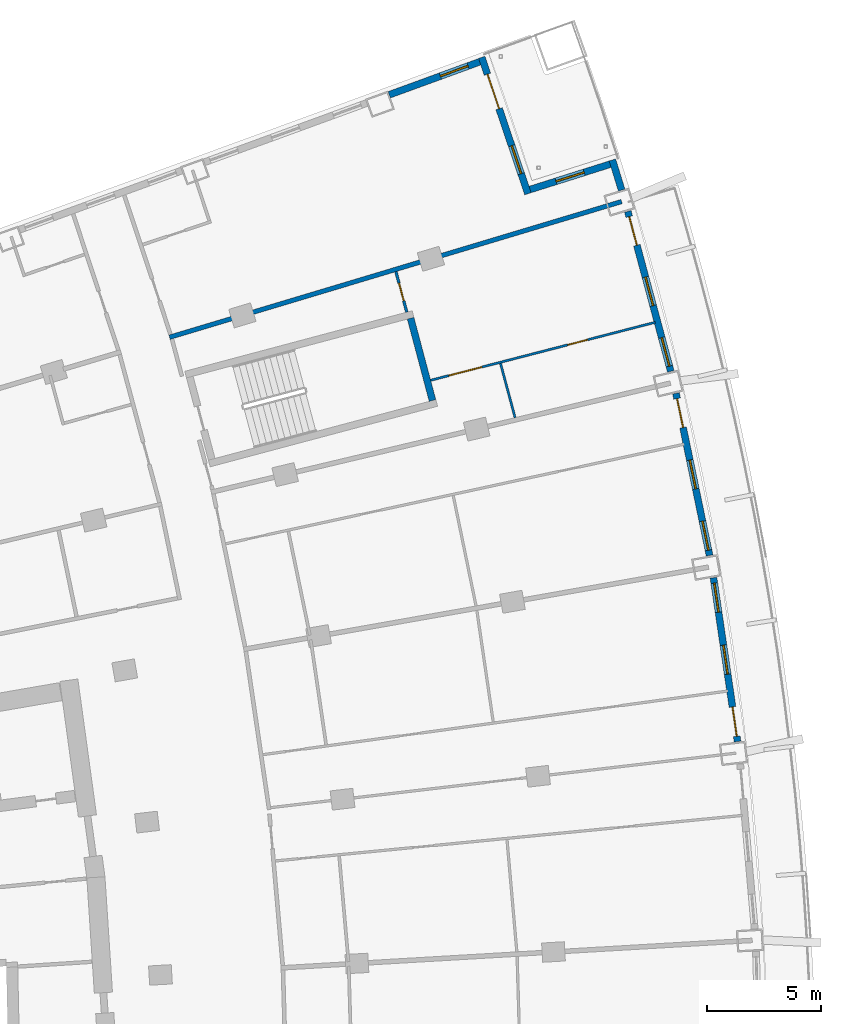
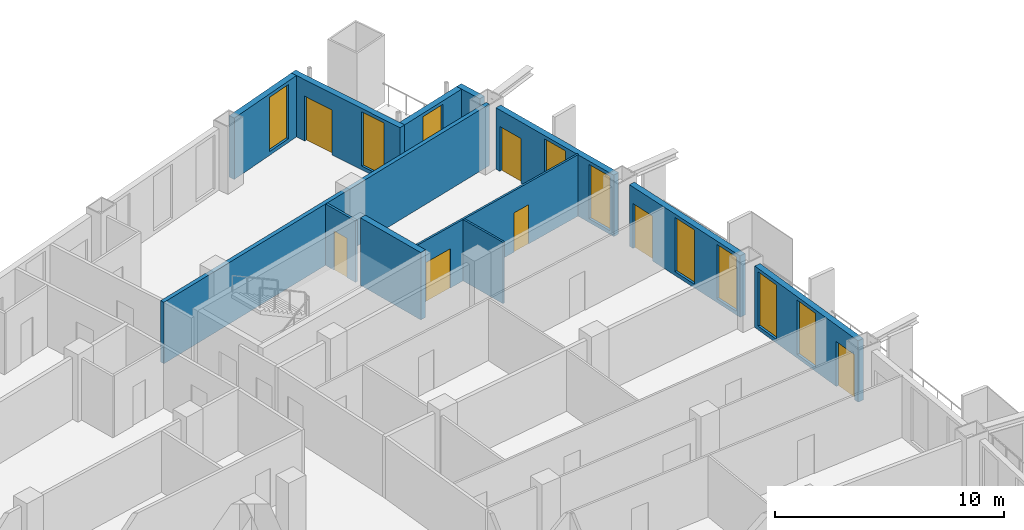
# One storey, part 21 of 25: 12 walls, 9 windows, 7 doors, 16 openings.
"""IFC4 building model written with IfcOpenShell, lengths in metres."""

from ifc_helpers import new_model, si_unit, direction, frame, frame_2d, origin, place, context, subcontext, project, spatial, rectangle, extrude, material, layer, layer_set, type_object, element, fill, save


model = new_model("IFC4")

# Units and contexts
model_context = context("Model", 3, precision=1e-05, world=origin(), true_north=direction((0.0, 1.0)))
body_context = subcontext(model_context, "Body", "Model", "MODEL_VIEW")
ifc_project = project(units=[si_unit("LENGTHUNIT", "METRE"), si_unit("AREAUNIT", "SQUARE_METRE"), si_unit("VOLUMEUNIT", "CUBIC_METRE"), si_unit("PLANEANGLEUNIT", "RADIAN"), si_unit("MASSUNIT", "GRAM", prefix="KILO")], contexts=[model_context])

# Site, building, storey
site_placement = place(None, origin())
site = spatial("IfcSite", under=ifc_project, at=site_placement, CompositionType="ELEMENT")
building_placement = place(site_placement, origin())
building = spatial("IfcBuilding", under=site, at=building_placement, Name="Alderwake Tower", CompositionType="ELEMENT")
storey_placement = place(building_placement, frame((0.0, 0.0, 86.0)))
storey = spatial("IfcBuildingStorey", under=building, at=storey_placement, Name="L20", CompositionType="ELEMENT", Elevation=86.0)

# Wall
ifc_material_1 = material(Name="Concrete C70/85", Category="concrete")
ifc_layer_1 = layer(ifc_material_1, 0.300048828125)
ifc_layer_set_1 = layer_set([ifc_layer_1], Name="Core wall stair enclosure 300 C70-85")
wall_type_1 = type_object("IfcWallType", Name="Core wall stair enclosure 300 C70-85", PredefinedType="SHEAR", material=ifc_layer_set_1)
wall_1_placement = place(storey_placement, frame((47.581298828125, 93.041748046875, 0.0), z_axis=(0.0, 0.0, 1.0), x_axis=(-0.257366821694, 0.966313778796, 0.0)))
element("IfcWall", 1, at=wall_1_placement, inside=storey, type_object=wall_type_1, Name="Core wall CW.081", PredefinedType="SHEAR", context=body_context, shape_type="SweptSolid", body=[
    extrude(rectangle(XDim=3.749755859375, YDim=0.300048828125, at=frame_2d((1.875, 0.0))), origin(), (0.0, 0.0, 1.0), 3.60009765625),
])

# Wall, openings, door, windows
ifc_material_2 = material(Name="Precast concrete C50/60 spandrel panel", Category="concrete")
ifc_layer_2 = layer(ifc_material_2, 0.300048828125)
ifc_layer_set_2 = layer_set([ifc_layer_2], Name="External wall EW1 Precast concrete C50/60 spandrel")
wall_type_2 = type_object("IfcWallType", Name="External wall EW1 Precast concrete C50/60 spandrel", PredefinedType="SOLIDWALL", material=ifc_layer_set_2)
wall_2_placement = place(storey_placement, frame((61.01171875, 78.028564453125, 0.0), z_axis=(0.0, 0.0, 1.0), x_axis=(-0.145299158465, 0.989387767536, 0.0)))
wall_2 = element("IfcWall", 2, at=wall_2_placement, inside=storey, type_object=wall_type_2, Name="External wall 19", PredefinedType="SOLIDWALL", context=body_context, shape_type="SweptSolid", body=[
    extrude(rectangle(XDim=7.287353515625, YDim=0.300048828125, at=frame_2d((3.6435546875, 0.0))), origin(), (0.0, 0.0, 1.0), 3.280029296875),
])
opening_1_placement = place(wall_2_placement, frame((0.23681640625, 0.0, 0.0)))
opening_1 = element("IfcOpeningElement", 3, at=opening_1_placement, cuts=wall_2, Name="Opening D09", PredefinedType="OPENING", context=body_context, shape_type="SweptSolid", body=[
    extrude(rectangle(XDim=1.300048828125, YDim=2.39990234375, at=frame_2d((0.64990234375, 1.199951171875))), frame((0.0, 0.159912109375, 0.0), z_axis=(0.0, -1.0, 0.0), x_axis=(1.0, 0.0, 0.0)), (0.0, 0.0, 1.0), 0.320068359375),
])
opening_2_placement = place(wall_2_placement, frame((2.99365234375, 0.0, 0.199951171875)))
opening_2 = element("IfcOpeningElement", 4, at=opening_2_placement, cuts=wall_2, Name="Opening W1", PredefinedType="OPENING", context=body_context, shape_type="SweptSolid", body=[
    extrude(rectangle(XDim=1.300048828125, YDim=2.89990234375, at=frame_2d((0.64990234375, 1.449951171875))), frame((0.0, 0.159912109375, 0.0), z_axis=(0.0, -1.0, 0.0), x_axis=(1.0, 0.0, 0.0)), (0.0, 0.0, 1.0), 0.320068359375),
])
opening_3_placement = place(wall_2_placement, frame((5.75048828125, 0.0, 0.199951171875)))
opening_3 = element("IfcOpeningElement", 5, at=opening_3_placement, cuts=wall_2, Name="Opening W1", PredefinedType="OPENING", context=body_context, shape_type="SweptSolid", body=[
    extrude(rectangle(XDim=1.300048828125, YDim=2.89990234375, at=frame_2d((0.64990234375, 1.449951171875))), frame((0.0, 0.159912109375, 0.0), z_axis=(0.0, -1.0, 0.0), x_axis=(1.0, 0.0, 0.0)), (0.0, 0.0, 1.0), 0.320068359375),
])
ifc_material_3 = material(Name="Bronze tinted glass in aluminium frame", Category="aluminium")
door_type_1 = type_object("IfcDoorType", Name="Balcony door BD sliding", OperationType="SLIDING_TO_LEFT", PredefinedType="DOOR", material=ifc_material_3)
door_1_placement = place(opening_1_placement, origin())
door_1 = element("IfcDoor", 6, at=door_1_placement, inside=storey, type_object=door_type_1, Name="Door D09", OperationType="SLIDING_TO_LEFT", OverallHeight=2.39990234375, OverallWidth=1.300048828125, PredefinedType="DOOR", context=body_context, shape_type="SweptSolid", body=[
    extrude(rectangle(XDim=1.300048828125, YDim=2.39990234375, at=frame_2d((0.64990234375, 1.199951171875))), frame((0.0, 0.02490234375, 0.0), z_axis=(0.0, -1.0, 0.0), x_axis=(1.0, 0.0, 0.0)), (0.0, 0.0, 1.0), 0.050048828125),
])
fill(opening_1, door_1)
ifc_material_4 = material(Name="Bronze tinted glass in aluminium frame", Category="aluminium")
window_type = type_object("IfcWindowType", Name="Window W1 tall fixed and vent", PartitioningType="DOUBLE_PANEL_VERTICAL", PredefinedType="WINDOW", material=ifc_material_4)
window_1_placement = place(opening_2_placement, origin())
window_1 = element("IfcWindow", 7, at=window_1_placement, inside=storey, type_object=window_type, Name="Window W1 tall fixed and vent", OverallHeight=2.89990234375, OverallWidth=1.300048828125, PartitioningType="DOUBLE_PANEL_VERTICAL", PredefinedType="WINDOW", context=body_context, shape_type="SweptSolid", body=[
    extrude(rectangle(XDim=1.300048828125, YDim=2.89990234375, at=frame_2d((0.64990234375, 1.449951171875))), frame((0.0, 0.030029296875, 0.0), z_axis=(0.0, -1.0, 0.0), x_axis=(1.0, 0.0, 0.0)), (0.0, 0.0, 1.0), 0.06005859375),
])
fill(opening_2, window_1)
window_2_placement = place(opening_3_placement, origin())
window_2 = element("IfcWindow", 8, at=window_2_placement, inside=storey, type_object=window_type, Name="Window W1 tall fixed and vent", OverallHeight=2.89990234375, OverallWidth=1.300048828125, PartitioningType="DOUBLE_PANEL_VERTICAL", PredefinedType="WINDOW", context=body_context, shape_type="SweptSolid", body=[
    extrude(rectangle(XDim=1.300048828125, YDim=2.89990234375, at=frame_2d((0.64990234375, 1.449951171875))), frame((0.0, 0.030029296875, 0.0), z_axis=(0.0, -1.0, 0.0), x_axis=(1.0, 0.0, 0.0)), (0.0, 0.0, 1.0), 0.06005859375),
])
fill(opening_3, window_2)

wall_3_placement = place(storey_placement, frame((59.779296875, 86.220458984375, 0.0), z_axis=(0.0, 0.0, 1.0), x_axis=(-0.202747398162, 0.979231072086, 0.0)))
wall_3 = element("IfcWall", 9, at=wall_3_placement, inside=storey, type_object=wall_type_2, Name="External wall 20", PredefinedType="SOLIDWALL", context=body_context, shape_type="SweptSolid", body=[
    extrude(rectangle(XDim=7.28759765625, YDim=0.300048828125, at=frame_2d((3.643798828125, 0.0))), origin(), (0.0, 0.0, 1.0), 3.280029296875),
])
opening_4_placement = place(wall_3_placement, frame((0.23681640625, 0.0, 0.199951171875)))
opening_4 = element("IfcOpeningElement", 10, at=opening_4_placement, cuts=wall_3, Name="Opening W1", PredefinedType="OPENING", context=body_context, shape_type="SweptSolid", body=[
    extrude(rectangle(XDim=1.300048828125, YDim=2.89990234375, at=frame_2d((0.64990234375, 1.449951171875))), frame((0.0, 0.159912109375, 0.0), z_axis=(0.0, -1.0, 0.0), x_axis=(1.0, 0.0, 0.0)), (0.0, 0.0, 1.0), 0.320068359375),
])
opening_5_placement = place(wall_3_placement, frame((2.99365234375, 0.0, 0.199951171875)))
opening_5 = element("IfcOpeningElement", 11, at=opening_5_placement, cuts=wall_3, Name="Opening W1", PredefinedType="OPENING", context=body_context, shape_type="SweptSolid", body=[
    extrude(rectangle(XDim=1.300048828125, YDim=2.89990234375, at=frame_2d((0.64990234375, 1.449951171875))), frame((0.0, 0.159912109375, 0.0), z_axis=(0.0, -1.0, 0.0), x_axis=(1.0, 0.0, 0.0)), (0.0, 0.0, 1.0), 0.320068359375),
])
opening_6_placement = place(wall_3_placement, frame((5.75048828125, 0.0, 0.0)))
opening_6 = element("IfcOpeningElement", 12, at=opening_6_placement, cuts=wall_3, Name="Opening D10", PredefinedType="OPENING", context=body_context, shape_type="SweptSolid", body=[
    extrude(rectangle(XDim=1.300048828125, YDim=2.39990234375, at=frame_2d((0.64990234375, 1.199951171875))), frame((0.0, 0.159912109375, 0.0), z_axis=(0.0, -1.0, 0.0), x_axis=(1.0, 0.0, 0.0)), (0.0, 0.0, 1.0), 0.320068359375),
])
door_2_placement = place(opening_6_placement, origin())
door_2 = element("IfcDoor", 13, at=door_2_placement, inside=storey, type_object=door_type_1, Name="Door D10", OperationType="SLIDING_TO_LEFT", OverallHeight=2.39990234375, OverallWidth=1.300048828125, PredefinedType="DOOR", context=body_context, shape_type="SweptSolid", body=[
    extrude(rectangle(XDim=1.300048828125, YDim=2.39990234375, at=frame_2d((0.64990234375, 1.199951171875))), frame((0.0, 0.02490234375, 0.0), z_axis=(0.0, -1.0, 0.0), x_axis=(1.0, 0.0, 0.0)), (0.0, 0.0, 1.0), 0.050048828125),
])
fill(opening_6, door_2)
window_3_placement = place(opening_4_placement, origin())
window_3 = element("IfcWindow", 14, at=window_3_placement, inside=storey, type_object=window_type, Name="Window W1 tall fixed and vent", OverallHeight=2.89990234375, OverallWidth=1.300048828125, PartitioningType="DOUBLE_PANEL_VERTICAL", PredefinedType="WINDOW", context=body_context, shape_type="SweptSolid", body=[
    extrude(rectangle(XDim=1.300048828125, YDim=2.89990234375, at=frame_2d((0.64990234375, 1.449951171875))), frame((0.0, 0.030029296875, 0.0), z_axis=(0.0, -1.0, 0.0), x_axis=(1.0, 0.0, 0.0)), (0.0, 0.0, 1.0), 0.06005859375),
])
fill(opening_4, window_3)
window_4_placement = place(opening_5_placement, origin())
window_4 = element("IfcWindow", 15, at=window_4_placement, inside=storey, type_object=window_type, Name="Window W1 tall fixed and vent", OverallHeight=2.89990234375, OverallWidth=1.300048828125, PartitioningType="DOUBLE_PANEL_VERTICAL", PredefinedType="WINDOW", context=body_context, shape_type="SweptSolid", body=[
    extrude(rectangle(XDim=1.300048828125, YDim=2.89990234375, at=frame_2d((0.64990234375, 1.449951171875))), frame((0.0, 0.030029296875, 0.0), z_axis=(0.0, -1.0, 0.0), x_axis=(1.0, 0.0, 0.0)), (0.0, 0.0, 1.0), 0.06005859375),
])
fill(opening_5, window_4)

wall_4_placement = place(storey_placement, frame((58.071044921875, 94.326904296875, 0.0), z_axis=(0.0, 0.0, 1.0), x_axis=(-0.259478431082, 0.965748903082, 0.0)))
wall_4 = element("IfcWall", 16, at=wall_4_placement, inside=storey, type_object=wall_type_2, Name="External wall 21", PredefinedType="SOLIDWALL", context=body_context, shape_type="SweptSolid", body=[
    extrude(rectangle(XDim=7.287109375, YDim=0.300048828125, at=frame_2d((3.6435546875, 0.0))), origin(), (0.0, 0.0, 1.0), 3.280029296875),
])
opening_7_placement = place(wall_4_placement, frame((0.23681640625, 0.0, 0.199951171875)))
opening_7 = element("IfcOpeningElement", 17, at=opening_7_placement, cuts=wall_4, Name="Opening W1", PredefinedType="OPENING", context=body_context, shape_type="SweptSolid", body=[
    extrude(rectangle(XDim=1.300048828125, YDim=2.89990234375, at=frame_2d((0.64990234375, 1.449951171875))), frame((0.0, 0.159912109375, 0.0), z_axis=(0.0, -1.0, 0.0), x_axis=(1.0, 0.0, 0.0)), (0.0, 0.0, 1.0), 0.320068359375),
])
opening_8_placement = place(wall_4_placement, frame((2.99365234375, 0.0, 0.199951171875)))
opening_8 = element("IfcOpeningElement", 18, at=opening_8_placement, cuts=wall_4, Name="Opening W1", PredefinedType="OPENING", context=body_context, shape_type="SweptSolid", body=[
    extrude(rectangle(XDim=1.300048828125, YDim=2.89990234375, at=frame_2d((0.64990234375, 1.449951171875))), frame((0.0, 0.159912109375, 0.0), z_axis=(0.0, -1.0, 0.0), x_axis=(1.0, 0.0, 0.0)), (0.0, 0.0, 1.0), 0.320068359375),
])
opening_9_placement = place(wall_4_placement, frame((5.75048828125, 0.0, 0.0)))
opening_9 = element("IfcOpeningElement", 19, at=opening_9_placement, cuts=wall_4, Name="Opening D11", PredefinedType="OPENING", context=body_context, shape_type="SweptSolid", body=[
    extrude(rectangle(XDim=1.300048828125, YDim=2.39990234375, at=frame_2d((0.64990234375, 1.199951171875))), frame((0.0, 0.159912109375, 0.0), z_axis=(0.0, -1.0, 0.0), x_axis=(1.0, 0.0, 0.0)), (0.0, 0.0, 1.0), 0.320068359375),
])
door_3_placement = place(opening_9_placement, origin())
door_3 = element("IfcDoor", 20, at=door_3_placement, inside=storey, type_object=door_type_1, Name="Door D11", OperationType="SLIDING_TO_LEFT", OverallHeight=2.39990234375, OverallWidth=1.300048828125, PredefinedType="DOOR", context=body_context, shape_type="SweptSolid", body=[
    extrude(rectangle(XDim=1.300048828125, YDim=2.39990234375, at=frame_2d((0.64990234375, 1.199951171875))), frame((0.0, 0.02490234375, 0.0), z_axis=(0.0, -1.0, 0.0), x_axis=(1.0, 0.0, 0.0)), (0.0, 0.0, 1.0), 0.050048828125),
])
fill(opening_9, door_3)
window_5_placement = place(opening_7_placement, origin())
window_5 = element("IfcWindow", 21, at=window_5_placement, inside=storey, type_object=window_type, Name="Window W1 tall fixed and vent", OverallHeight=2.89990234375, OverallWidth=1.300048828125, PartitioningType="DOUBLE_PANEL_VERTICAL", PredefinedType="WINDOW", context=body_context, shape_type="SweptSolid", body=[
    extrude(rectangle(XDim=1.300048828125, YDim=2.89990234375, at=frame_2d((0.64990234375, 1.449951171875))), frame((0.0, 0.030029296875, 0.0), z_axis=(0.0, -1.0, 0.0), x_axis=(1.0, 0.0, 0.0)), (0.0, 0.0, 1.0), 0.06005859375),
])
fill(opening_7, window_5)
window_6_placement = place(opening_8_placement, origin())
window_6 = element("IfcWindow", 22, at=window_6_placement, inside=storey, type_object=window_type, Name="Window W1 tall fixed and vent", OverallHeight=2.89990234375, OverallWidth=1.300048828125, PartitioningType="DOUBLE_PANEL_VERTICAL", PredefinedType="WINDOW", context=body_context, shape_type="SweptSolid", body=[
    extrude(rectangle(XDim=1.300048828125, YDim=2.89990234375, at=frame_2d((0.64990234375, 1.449951171875))), frame((0.0, 0.030029296875, 0.0), z_axis=(0.0, -1.0, 0.0), x_axis=(1.0, 0.0, 0.0)), (0.0, 0.0, 1.0), 0.06005859375),
])
fill(opening_8, window_6)

# Wall
wall_5_placement = place(storey_placement, frame((55.908935546875, 102.305908203125, 0.0), z_axis=(0.0, 0.0, 1.0), x_axis=(-0.294394228908, 0.955684068082, 0.0)))
element("IfcWall", 23, at=wall_5_placement, inside=storey, type_object=wall_type_2, Name="External wall 22", PredefinedType="SOLIDWALL", context=body_context, shape_type="SweptSolid", body=[
    extrude(rectangle(XDim=1.390625, YDim=0.300048828125, at=frame_2d((0.6953125, 0.0))), origin(), (0.0, 0.0, 1.0), 3.280029296875),
])

# Wall, opening, window
ifc_material_5 = material(Name="Bronze metal cladding on lightweight framing")
ifc_layer_3 = layer(ifc_material_5, 0.300048828125)
ifc_layer_set_3 = layer_set([ifc_layer_3], Name="External wall EW2 bronze metal cladding")
wall_type_3 = type_object("IfcWallType", Name="External wall EW2 bronze metal cladding", PredefinedType="SOLIDWALL", material=ifc_layer_set_3)
wall_6_placement = place(storey_placement, frame((55.400634765625, 103.4462890625, 0.0), z_axis=(0.0, 0.0, 1.0), x_axis=(-0.953472737628, -0.301479250697, 0.0)))
wall_6 = element("IfcWall", 24, at=wall_6_placement, inside=storey, type_object=wall_type_3, Name="External wall 23", PredefinedType="SOLIDWALL", context=body_context, shape_type="SweptSolid", body=[
    extrude(rectangle(XDim=3.6943359375, YDim=0.300048828125, at=frame_2d((1.84716796875, 0.0))), origin(), (0.0, 0.0, 1.0), 3.280029296875),
])
opening_10_placement = place(wall_6_placement, frame((1.197265625, 0.0, 0.199951171875)))
opening_10 = element("IfcOpeningElement", 25, at=opening_10_placement, cuts=wall_6, Name="Opening W1", PredefinedType="OPENING", context=body_context, shape_type="SweptSolid", body=[
    extrude(rectangle(XDim=1.300048828125, YDim=2.89990234375, at=frame_2d((0.64990234375, 1.449951171875))), frame((0.0, 0.159912109375, 0.0), z_axis=(0.0, -1.0, 0.0), x_axis=(1.0, 0.0, 0.0)), (0.0, 0.0, 1.0), 0.320068359375),
])
window_7_placement = place(opening_10_placement, origin())
window_7 = element("IfcWindow", 26, at=window_7_placement, inside=storey, type_object=window_type, Name="Window W1 tall fixed and vent", OverallHeight=2.89990234375, OverallWidth=1.300048828125, PartitioningType="DOUBLE_PANEL_VERTICAL", PredefinedType="WINDOW", context=body_context, shape_type="SweptSolid", body=[
    extrude(rectangle(XDim=1.300048828125, YDim=2.89990234375, at=frame_2d((0.64990234375, 1.449951171875))), frame((0.0, 0.030029296875, 0.0), z_axis=(0.0, -1.0, 0.0), x_axis=(1.0, 0.0, 0.0)), (0.0, 0.0, 1.0), 0.06005859375),
])
fill(opening_10, window_7)

# Wall, openings, door, window
wall_7_placement = place(storey_placement, frame((51.783203125, 102.145263671875, 0.0), z_axis=(0.0, 0.0, 1.0), x_axis=(-0.320891734408, 0.94711588245, 0.0)))
wall_7 = element("IfcWall", 27, at=wall_7_placement, inside=storey, type_object=wall_type_3, Name="External wall 24", PredefinedType="SOLIDWALL", context=body_context, shape_type="SweptSolid", body=[
    extrude(rectangle(XDim=6.339111328125, YDim=0.300048828125, at=frame_2d((3.16943359375, 0.0))), origin(), (0.0, 0.0, 1.0), 3.280029296875),
])
opening_11_placement = place(wall_7_placement, frame((0.934814453125, 0.0, 0.199951171875)))
opening_11 = element("IfcOpeningElement", 28, at=opening_11_placement, cuts=wall_7, Name="Opening W1", PredefinedType="OPENING", context=body_context, shape_type="SweptSolid", body=[
    extrude(rectangle(XDim=1.300048828125, YDim=2.89990234375, at=frame_2d((0.64990234375, 1.449951171875))), frame((0.0, 0.159912109375, 0.0), z_axis=(0.0, -1.0, 0.0), x_axis=(1.0, 0.0, 0.0)), (0.0, 0.0, 1.0), 0.320068359375),
])
opening_12_placement = place(wall_7_placement, frame((3.954345703125, 0.0, 0.0)))
opening_12 = element("IfcOpeningElement", 29, at=opening_12_placement, cuts=wall_7, Name="Opening D12", PredefinedType="OPENING", context=body_context, shape_type="SweptSolid", body=[
    extrude(rectangle(XDim=1.60009765625, YDim=2.39990234375, at=frame_2d((0.800048828125, 1.199951171875))), frame((0.0, 0.159912109375, 0.0), z_axis=(0.0, -1.0, 0.0), x_axis=(1.0, 0.0, 0.0)), (0.0, 0.0, 1.0), 0.320068359375),
])
ifc_material_6 = material(Name="Bronze tinted glass in aluminium frame", Category="aluminium")
door_type_2 = type_object("IfcDoorType", Name="Terrace door TD sliding", OperationType="SLIDING_TO_LEFT", PredefinedType="DOOR", material=ifc_material_6)
door_4_placement = place(opening_12_placement, origin())
door_4 = element("IfcDoor", 30, at=door_4_placement, inside=storey, type_object=door_type_2, Name="Door D12", OperationType="SLIDING_TO_LEFT", OverallHeight=2.39990234375, OverallWidth=1.60009765625, PredefinedType="DOOR", context=body_context, shape_type="SweptSolid", body=[
    extrude(rectangle(XDim=1.60009765625, YDim=2.39990234375, at=frame_2d((0.800048828125, 1.199951171875))), frame((0.0, 0.02490234375, 0.0), z_axis=(0.0, -1.0, 0.0), x_axis=(1.0, 0.0, 0.0)), (0.0, 0.0, 1.0), 0.050048828125),
])
fill(opening_12, door_4)
window_8_placement = place(opening_11_placement, origin())
window_8 = element("IfcWindow", 31, at=window_8_placement, inside=storey, type_object=window_type, Name="Window W1 tall fixed and vent", OverallHeight=2.89990234375, OverallWidth=1.300048828125, PartitioningType="DOUBLE_PANEL_VERTICAL", PredefinedType="WINDOW", context=body_context, shape_type="SweptSolid", body=[
    extrude(rectangle(XDim=1.300048828125, YDim=2.89990234375, at=frame_2d((0.64990234375, 1.449951171875))), frame((0.0, 0.030029296875, 0.0), z_axis=(0.0, -1.0, 0.0), x_axis=(1.0, 0.0, 0.0)), (0.0, 0.0, 1.0), 0.06005859375),
])
fill(opening_11, window_8)

# Wall, opening, window
wall_8_placement = place(storey_placement, frame((49.656494140625, 107.95556640625, 0.0), z_axis=(0.0, 0.0, 1.0), x_axis=(-0.93937558232, -0.342889946398, 0.0)))
wall_8 = element("IfcWall", 32, at=wall_8_placement, inside=storey, type_object=wall_type_3, Name="External wall 25", PredefinedType="SOLIDWALL", context=body_context, shape_type="SweptSolid", body=[
    extrude(rectangle(XDim=4.23779296875, YDim=0.300048828125, at=frame_2d((2.118896484375, 0.0))), origin(), (0.0, 0.0, 1.0), 3.280029296875),
])
opening_13_placement = place(wall_8_placement, frame((0.541259765625, 0.0, 0.199951171875)))
opening_13 = element("IfcOpeningElement", 33, at=opening_13_placement, cuts=wall_8, Name="Opening W1", PredefinedType="OPENING", context=body_context, shape_type="SweptSolid", body=[
    extrude(rectangle(XDim=1.300048828125, YDim=2.89990234375, at=frame_2d((0.64990234375, 1.449951171875))), frame((0.0, 0.159912109375, 0.0), z_axis=(0.0, -1.0, 0.0), x_axis=(1.0, 0.0, 0.0)), (0.0, 0.0, 1.0), 0.320068359375),
])
window_9_placement = place(opening_13_placement, origin())
window_9 = element("IfcWindow", 34, at=window_9_placement, inside=storey, type_object=window_type, Name="Window W1 tall fixed and vent", OverallHeight=2.89990234375, OverallWidth=1.300048828125, PartitioningType="DOUBLE_PANEL_VERTICAL", PredefinedType="WINDOW", context=body_context, shape_type="SweptSolid", body=[
    extrude(rectangle(XDim=1.300048828125, YDim=2.89990234375, at=frame_2d((0.64990234375, 1.449951171875))), frame((0.0, 0.030029296875, 0.0), z_axis=(0.0, -1.0, 0.0), x_axis=(1.0, 0.0, 0.0)), (0.0, 0.0, 1.0), 0.06005859375),
])
fill(opening_13, window_9)

# Wall
ifc_material_7 = material(Name="Dense block masonry wall", Category="masonry")
ifc_layer_4 = layer(ifc_material_7, 0.199951171875)
ifc_layer_set_4 = layer_set([ifc_layer_4], Name="Party wall 200")
wall_type_4 = type_object("IfcWallType", Name="Party wall 200", PredefinedType="SOLIDWALL", material=ifc_layer_set_4)
wall_9_placement = place(storey_placement, frame((55.907958984375, 101.802001953125, 0.0), z_axis=(0.0, 0.0, 1.0), x_axis=(-0.957772916743, -0.287525720507, 0.0)))
element("IfcWall", 35, at=wall_9_placement, inside=storey, type_object=wall_type_4, Name="WL/L20/W08", PredefinedType="SOLIDWALL", context=body_context, shape_type="SweptSolid", body=[
    extrude(rectangle(XDim=20.781005859375, YDim=0.199951171875, at=frame_2d((10.390625, 0.0))), origin(), (0.0, 0.0, 1.0), 3.280029296875),
])

# Wall, openings, doors
ifc_material_8 = material(Name="Gypsum board on metal studs")
ifc_layer_5 = layer(ifc_material_8, 0.10009765625)
ifc_layer_set_5 = layer_set([ifc_layer_5], Name="Unit partition 100")
wall_type_5 = type_object("IfcWallType", Name="Unit partition 100", PredefinedType="PARTITIONING", material=ifc_layer_set_5)
wall_10_placement = place(storey_placement, frame((47.4990234375, 93.93310546875, 0.0), z_axis=(0.0, 0.0, 1.0), x_axis=(0.96824764918, 0.249992979617, 0.0)))
wall_10 = element("IfcWall", 36, at=wall_10_placement, inside=storey, type_object=wall_type_5, Name="WL/L20/W75", PredefinedType="PARTITIONING", context=body_context, shape_type="SweptSolid", body=[
    extrude(rectangle(XDim=10.212158203125, YDim=0.10009765625, at=frame_2d((5.10595703125, 0.0))), origin(), (0.0, 0.0, 1.0), 3.280029296875),
])
opening_14_placement = place(wall_10_placement, frame((0.831787109375, 0.0, 0.0)))
opening_14 = element("IfcOpeningElement", 37, at=opening_14_placement, cuts=wall_10, Name="Opening R05-U02.2", PredefinedType="OPENING", context=body_context, shape_type="SweptSolid", body=[
    extrude(rectangle(XDim=1.5, YDim=2.10009765625, at=frame_2d((0.75, 1.050048828125))), frame((0.0, 0.06005859375, 0.0), z_axis=(0.0, -1.0, 0.0), x_axis=(1.0, 0.0, 0.0)), (0.0, 0.0, 1.0), 0.1201171875),
])
opening_15_placement = place(wall_10_placement, frame((6.23779296875, 0.0, 0.0)))
opening_15 = element("IfcOpeningElement", 38, at=opening_15_placement, cuts=wall_10, Name="Opening R05-U02.3", PredefinedType="OPENING", context=body_context, shape_type="SweptSolid", body=[
    extrude(rectangle(XDim=0.89990234375, YDim=2.10009765625, at=frame_2d((0.449951171875, 1.050048828125))), frame((0.0, 0.06005859375, 0.0), z_axis=(0.0, -1.0, 0.0), x_axis=(1.0, 0.0, 0.0)), (0.0, 0.0, 1.0), 0.1201171875),
])
ifc_material_9 = material(Name="Painted timber leaves", Category="wood")
door_type_3 = type_object("IfcDoorType", Name="Double leaf door 1500", OperationType="DOUBLE_DOOR_SINGLE_SWING", PredefinedType="DOOR", material=ifc_material_9)
door_5_placement = place(opening_14_placement, origin())
door_5 = element("IfcDoor", 39, at=door_5_placement, inside=storey, type_object=door_type_3, Name="DR/L20/U02.2", OperationType="DOUBLE_DOOR_SINGLE_SWING", OverallHeight=2.10009765625, OverallWidth=1.5, PredefinedType="DOOR", context=body_context, shape_type="SweptSolid", body=[
    extrude(rectangle(XDim=1.5, YDim=2.10009765625, at=frame_2d((0.75, 1.050048828125))), frame((0.0, 0.02490234375, 0.0), z_axis=(0.0, -1.0, 0.0), x_axis=(1.0, 0.0, 0.0)), (0.0, 0.0, 1.0), 0.050048828125),
])
fill(opening_14, door_5)
ifc_material_10 = material(Name="Painted timber leaf", Category="wood")
door_type_4 = type_object("IfcDoorType", Name="Room door 900", OperationType="SINGLE_SWING_LEFT", PredefinedType="DOOR", material=ifc_material_10)
door_6_placement = place(opening_15_placement, origin())
door_6 = element("IfcDoor", 40, at=door_6_placement, inside=storey, type_object=door_type_4, Name="DR/L20/U02.3", OperationType="SINGLE_SWING_LEFT", OverallHeight=2.10009765625, OverallWidth=0.89990234375, PredefinedType="DOOR", context=body_context, shape_type="SweptSolid", body=[
    extrude(rectangle(XDim=0.89990234375, YDim=2.10009765625, at=frame_2d((0.449951171875, 1.050048828125))), frame((0.0, 0.02490234375, 0.0), z_axis=(0.0, -1.0, 0.0), x_axis=(1.0, 0.0, 0.0)), (0.0, 0.0, 1.0), 0.050048828125),
])
fill(opening_15, door_6)

# Wall
wall_11_placement = place(storey_placement, frame((51.217041015625, 92.28662109375, 0.0), z_axis=(0.0, 0.0, 1.0), x_axis=(-0.259442778972, 0.965758481422, 0.0)))
element("IfcWall", 41, at=wall_11_placement, inside=storey, type_object=wall_type_5, Name="WL/L20/W81", PredefinedType="PARTITIONING", context=body_context, shape_type="SweptSolid", body=[
    extrude(rectangle(XDim=2.474853515625, YDim=0.10009765625, at=frame_2d((1.2373046875, 0.0))), origin(), (0.0, 0.0, 1.0), 3.280029296875),
])

# Wall, opening, door
ifc_material_11 = material(Name="Moisture resistant gypsum board on metal studs")
ifc_layer_6 = layer(ifc_material_11, 0.1201171875)
ifc_layer_set_6 = layer_set([ifc_layer_6], Name="Wet room partition 120")
wall_type_6 = type_object("IfcWallType", Name="Wet room partition 120", PredefinedType="PARTITIONING", material=ifc_layer_set_6)
wall_12_placement = place(storey_placement, frame((46.448974609375, 96.929931640625, 0.0), z_axis=(0.0, 0.0, 1.0), x_axis=(-0.258764710752, 0.965940383497, 0.0)))
wall_12 = element("IfcWall", 42, at=wall_12_placement, inside=storey, type_object=wall_type_6, Name="WL/L20/W61", PredefinedType="PARTITIONING", context=body_context, shape_type="SweptSolid", body=[
    extrude(rectangle(XDim=1.847412109375, YDim=0.1201171875, at=frame_2d((0.923828125, 0.0))), origin(), (0.0, 0.0, 1.0), 3.280029296875),
])
opening_16_placement = place(wall_12_placement, frame((0.524169921875, 0.0, 0.0)))
opening_16 = element("IfcOpeningElement", 43, at=opening_16_placement, cuts=wall_12, Name="Opening R05-U02.4", PredefinedType="OPENING", context=body_context, shape_type="SweptSolid", body=[
    extrude(rectangle(XDim=0.800048828125, YDim=2.10009765625, at=frame_2d((0.39990234375, 1.050048828125))), frame((0.0, 0.070068359375, 0.0), z_axis=(0.0, -1.0, 0.0), x_axis=(1.0, 0.0, 0.0)), (0.0, 0.0, 1.0), 0.14013671875),
])
ifc_material_12 = material(Name="Painted timber leaf", Category="wood")
door_type_5 = type_object("IfcDoorType", Name="Bathroom door 800", OperationType="SINGLE_SWING_LEFT", PredefinedType="DOOR", material=ifc_material_12)
door_7_placement = place(opening_16_placement, origin())
door_7 = element("IfcDoor", 44, at=door_7_placement, inside=storey, type_object=door_type_5, Name="DR/L20/U02.4", OperationType="SINGLE_SWING_LEFT", OverallHeight=2.10009765625, OverallWidth=0.800048828125, PredefinedType="DOOR", context=body_context, shape_type="SweptSolid", body=[
    extrude(rectangle(XDim=0.800048828125, YDim=2.10009765625, at=frame_2d((0.39990234375, 1.050048828125))), frame((0.0, 0.02490234375, 0.0), z_axis=(0.0, -1.0, 0.0), x_axis=(1.0, 0.0, 0.0)), (0.0, 0.0, 1.0), 0.050048828125),
])
fill(opening_16, door_7)

save(model, "model.ifc")
